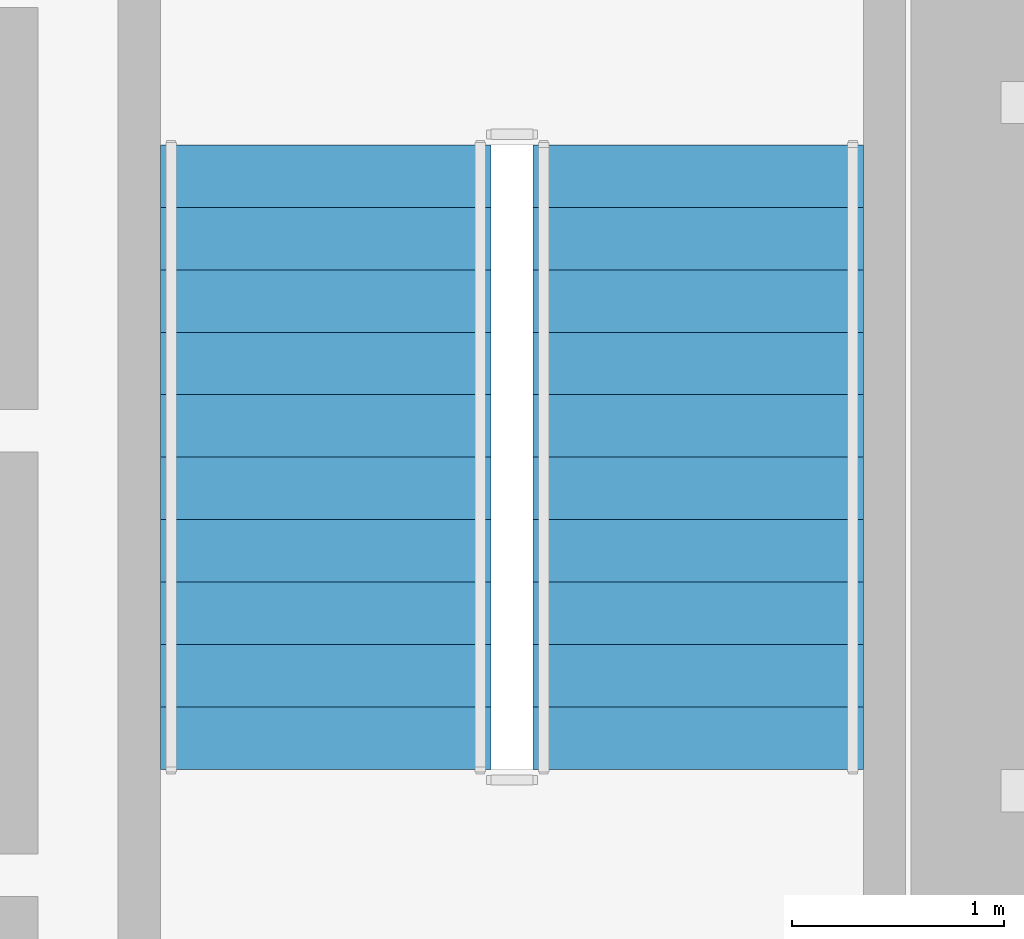
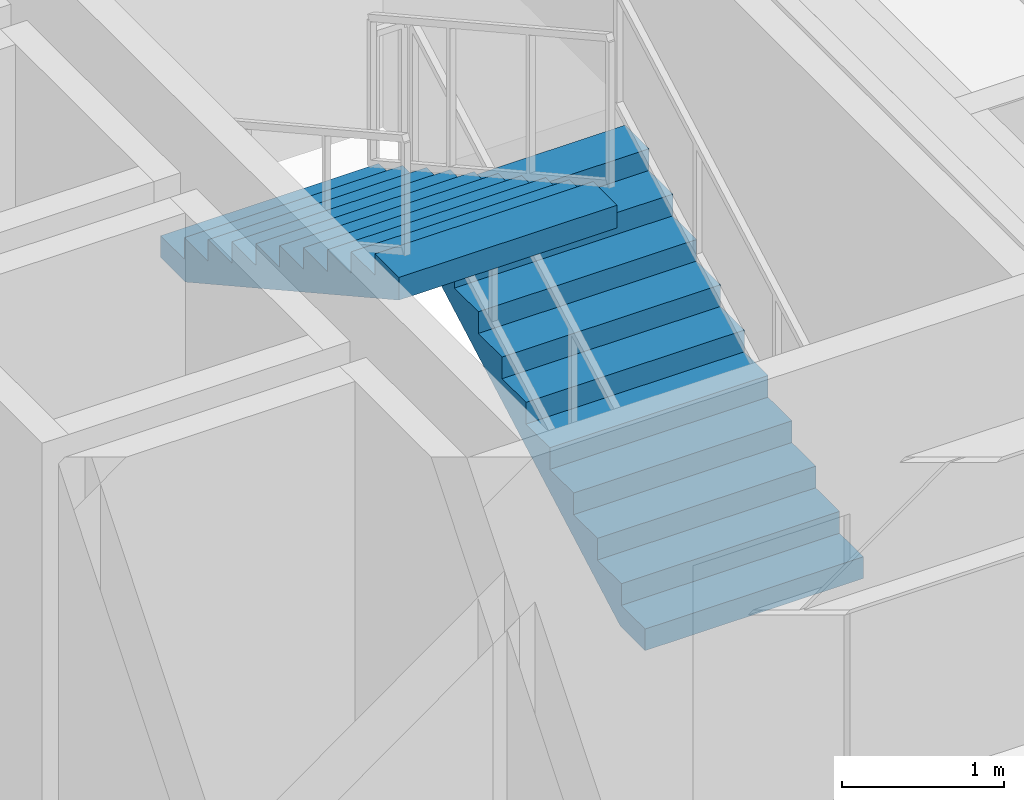
# One storey, part 30 of 33: 2 stair flights, 1 element without a shape of its own.
"""IFC4 building model written with IfcOpenShell, lengths in metres."""

import ifcopenshell
import ifcopenshell.guid

model = None  # the IFC model being written
_history = None  # IfcOwnerHistory: only IFC2X3 demands one
_inside = {}  # id of a spatial element -> (the spatial element, [elements in it])
_under = {}  # id of a project, library or spatial element -> (it, [spatial elements below it])
_declared = {}  # id of a project -> (the project, [libraries it declares])
_typed = {}  # id of a type object -> (the type object, [elements of that type])
_made_of = {}  # id of a material, layer set ... -> (it, [elements and type objects made of it])


def new_model(schema):
    """Start an empty IFC model of exactly this schema.

    Asked for "IFC4X3", IfcOpenShell would pick the latest addendum, in which some entities
    have other attributes; the version numbers below select the first issue.
    IFC2X3 requires an IfcOwnerHistory on every rooted entity: one is made here for all.
    """
    global model, _history
    if schema == "IFC4X3":
        model = ifcopenshell.file(schema_version=(4, 3, 0, 0))
    else:
        model = ifcopenshell.file(schema=schema)
    _inside.clear()
    _under.clear()
    _declared.clear()
    _typed.clear()
    _made_of.clear()
    _history = None
    if model.schema == "IFC2X3":
        org = make("IfcOrganization", Name="unknown")
        user = make(
            "IfcPersonAndOrganization",
            ThePerson=make("IfcPerson", FamilyName="unknown"),
            TheOrganization=org,
        )
        app = make(
            "IfcApplication",
            ApplicationDeveloper=org,
            Version="unknown",
            ApplicationFullName="unknown",
            ApplicationIdentifier="unknown",
        )
        _history = make(
            "IfcOwnerHistory",
            OwningUser=user,
            OwningApplication=app,
            ChangeAction="ADDED",
            CreationDate=0,
        )
    return model


def make(cls, **values):
    """One entity of the class cls with the attributes given. An attribute that is None is left unset."""
    return model.create_entity(
        cls, **{name: value for name, value in values.items() if value is not None}
    )


def rooted(cls, **values):
    """An entity with a GlobalId (a new one), such as an element, a storey or a relation."""
    return make(cls, GlobalId=ifcopenshell.guid.new(), OwnerHistory=_history, **values)


def si_unit(unit_type, name, prefix=None):
    """IfcSIUnit, for example si_unit("LENGTHUNIT", "METRE", prefix="MILLI")."""
    return make("IfcSIUnit", UnitType=unit_type, Prefix=prefix, Name=name)


def assignment(units):
    """IfcUnitAssignment: the units of a project."""
    return None if units is None else make("IfcUnitAssignment", Units=units)


def point(xyz):
    """IfcCartesianPoint."""
    return None if xyz is None else make("IfcCartesianPoint", Coordinates=xyz)


def direction(xyz):
    """IfcDirection."""
    return None if xyz is None else make("IfcDirection", DirectionRatios=xyz)


def frame(location, z_axis=None, x_axis=None):
    """IfcAxis2Placement3D, a coordinate frame: its origin and axes. An axis left out is left unset."""
    return make(
        "IfcAxis2Placement3D",
        Location=point(location),
        Axis=direction(z_axis),
        RefDirection=direction(x_axis),
    )


def origin():
    """The frame at (0, 0, 0) with its axes left unset."""
    return frame((0.0, 0.0, 0.0))


def place(relative_to, where):
    """IfcLocalPlacement: puts the frame where relative to a parent placement (None: the world)."""
    return make(
        "IfcLocalPlacement", PlacementRelTo=relative_to, RelativePlacement=where
    )


def context(
    kind, dimensions, precision=None, world=None, true_north=None, identifier=None
):
    """IfcGeometricRepresentationContext, for example the 3D "Model" context."""
    return make(
        "IfcGeometricRepresentationContext",
        ContextIdentifier=identifier,
        ContextType=kind,
        CoordinateSpaceDimension=dimensions,
        Precision=precision,
        WorldCoordinateSystem=world,
        TrueNorth=true_north,
    )


def subcontext(parent, identifier, kind, view, scale=None):
    """IfcGeometricRepresentationSubContext, for example "Body" below "Model"."""
    return make(
        "IfcGeometricRepresentationSubContext",
        ContextIdentifier=identifier,
        ContextType=kind,
        ParentContext=parent,
        TargetScale=scale,
        TargetView=view,
    )


def project(units=None, contexts=None):
    """IfcProject with its units and contexts."""
    return rooted(
        "IfcProject",
        Name="project",
        RepresentationContexts=contexts,
        UnitsInContext=assignment(units),
    )


def spatial(cls, under=None, at=None, **own):
    """A site, building, storey or space (cls), placed at a placement, below another one or the project."""
    s = rooted(cls, ObjectPlacement=at, **own)
    if under is not None:
        _under.setdefault(under.id(), (under, []))[1].append(s)
    return s


def polyline(points):
    """IfcPolyline through the points."""
    return make("IfcPolyline", Points=[point(p) for p in points])


def outline(outer, holes=None, kind="AREA"):
    """IfcArbitraryClosedProfileDef: a profile drawn as a closed curve; with holes, ...WithVoids."""
    if holes is None:
        return make("IfcArbitraryClosedProfileDef", ProfileType=kind, OuterCurve=outer)
    return make(
        "IfcArbitraryProfileDefWithVoids",
        ProfileType=kind,
        OuterCurve=outer,
        InnerCurves=holes,
    )


def extrude(swept, where, along, depth):
    """IfcExtrudedAreaSolid: the profile swept, set in the frame where, extruded along a direction by depth."""
    return make(
        "IfcExtrudedAreaSolid",
        SweptArea=swept,
        Position=where,
        ExtrudedDirection=direction(along),
        Depth=depth,
    )


def shape(context_of_items, identifier, shape_type, items):
    """IfcShapeRepresentation: the items that make up one representation, for example the "Body"."""
    return make(
        "IfcShapeRepresentation",
        ContextOfItems=context_of_items,
        RepresentationIdentifier=identifier,
        RepresentationType=shape_type,
        Items=items,
    )


def material(Name=None, Category=None):
    """IfcMaterial."""
    return make("IfcMaterial", Name=Name, Category=Category)


def made_of(thing, what):
    """Note that an element or type object is made of a material, layer set ...; save() writes the relation."""
    if what is not None:
        _made_of.setdefault(what.id(), (what, []))[1].append(thing)
    return thing


def type_object(cls, material=None, **own):
    """A type object (cls), such as IfcWallType, which elements share."""
    return made_of(rooted(cls, **own), material)


def element(
    cls,
    number,
    at=None,
    inside=None,
    cuts=None,
    type_object=None,
    material=None,
    context=None,
    identifier="Body",
    shape_type=None,
    held_by="IfcProductDefinitionShape",
    body=None,
    shapes=None,
    **own,
):
    """One element of the class cls, such as IfcWall. Its Tag is "e" and its number.

    at: its placement. inside: the storey or other place that contains it. cuts: it is an
    opening in that element (IfcRelVoidsElement). A single representation is given by context,
    identifier, shape_type and body (its items); several are given by shapes. held_by: the class
    of the entity that holds the representations. save() writes the other relations.
    """
    e = rooted(cls, Tag="e%d" % number, ObjectPlacement=at, **own)
    if body is not None:
        shapes = [shape(context, identifier, shape_type, body)]
    if shapes is not None:
        e.Representation = make(held_by, Representations=shapes)
    if inside is not None:
        _inside.setdefault(inside.id(), (inside, []))[1].append(e)
    if cuts is not None:
        rooted(
            "IfcRelVoidsElement", RelatingBuildingElement=cuts, RelatedOpeningElement=e
        )
    if type_object is not None:
        _typed.setdefault(type_object.id(), (type_object, []))[1].append(e)
    return made_of(e, material)


def aggregate(whole, parts):
    """IfcRelAggregates: a whole, such as a stair, and the parts it consists of."""
    return rooted("IfcRelAggregates", RelatingObject=whole, RelatedObjects=parts)


def save(model, path):
    """Write the relations noted so far, then the file.

    IfcRelAggregates (storeys below a building ...), IfcRelContainedInSpatialStructure (elements
    in a storey), IfcRelDefinesByType, IfcRelAssociatesMaterial and IfcRelDeclares: one each for
    every whole, place, type object, material and project.
    """
    for whole, parts in _under.values():
        aggregate(whole, parts)
    for where, things in _inside.values():
        rooted(
            "IfcRelContainedInSpatialStructure",
            RelatedElements=things,
            RelatingStructure=where,
        )
    for kind, things in _typed.values():
        rooted("IfcRelDefinesByType", RelatedObjects=things, RelatingType=kind)
    for what, things in _made_of.values():
        rooted("IfcRelAssociatesMaterial", RelatedObjects=things, RelatingMaterial=what)
    for by, libraries in _declared.values():
        rooted("IfcRelDeclares", RelatingContext=by, RelatedDefinitions=libraries)
    model.write(path)


model = new_model("IFC4")

# Units and contexts
model_context = context("Model", 3, precision=1e-05, world=origin(), true_north=direction((0.0, 1.0)))
body_context = subcontext(model_context, "Body", "Model", "MODEL_VIEW")
ifc_project = project(units=[si_unit("LENGTHUNIT", "METRE"), si_unit("AREAUNIT", "SQUARE_METRE"), si_unit("VOLUMEUNIT", "CUBIC_METRE"), si_unit("PLANEANGLEUNIT", "RADIAN"), si_unit("MASSUNIT", "GRAM", prefix="KILO")], contexts=[model_context])

# Site, building, storey
site_placement = place(None, origin())
site = spatial("IfcSite", under=ifc_project, at=site_placement, CompositionType="ELEMENT")
building_placement = place(site_placement, origin())
building = spatial("IfcBuilding", under=site, at=building_placement, Name="Brelmoor Portico Tower", CompositionType="ELEMENT")
storey_placement = place(building_placement, frame((0.0, 0.0, 34.800048828125)))
storey = spatial("IfcBuildingStorey", under=building, at=storey_placement, Name="L08", CompositionType="ELEMENT", Elevation=34.800048828125)

# Stair, stair flights
ifc_material = material(Name="Concrete C40", Category="concrete")
stair_type = type_object("IfcStairType", Name="ST-CORE-E", PredefinedType="HALF_TURN_STAIR", material=ifc_material)
stair_placement = place(storey_placement, origin())
stair = element("IfcStair", 1, at=stair_placement, inside=storey, type_object=stair_type, Name="L08 Protected Core Exit Stair ST-E", PredefinedType="HALF_TURN_STAIR")
stair_flight_type = type_object("IfcStairFlightType", Name="SF-CORE-1850", PredefinedType="STRAIGHT", material=ifc_material)
stair_flight_1_placement = place(storey_placement, frame((13.27001953125, 3.35009765625, 0.0), z_axis=(0.0, 0.0, 1.0), x_axis=(0.0, 1.0, 0.0)))
stair_flight_1 = element("IfcStairFlight", 2, at=stair_flight_1_placement, type_object=stair_flight_type, Name="ST-E flight 1", NumberOfRisers=11, NumberOfTreads=10, PredefinedType="STRAIGHT", RiserHeight=0.163636364, TreadLength=0.295, context=body_context, shape_type="SweptSolid", body=[
    extrude(outline(polyline([(0.0, 0.0), (0.0, 0.16357421875), (0.294921875, 0.16357421875), (0.294921875, 0.327392578125), (0.590087890625, 0.327392578125), (0.590087890625, 0.490966796875), (0.885009765625, 0.490966796875), (0.885009765625, 0.654541015625), (1.179931640625, 0.654541015625), (1.179931640625, 0.818115234375), (1.47509765625, 0.818115234375), (1.47509765625, 0.98193359375), (1.77001953125, 0.98193359375), (1.77001953125, 1.1455078125), (2.06494140625, 1.1455078125), (2.06494140625, 1.30908203125), (2.360107421875, 1.30908203125), (2.360107421875, 1.47265625), (2.655029296875, 1.47265625), (2.655029296875, 1.636474609375), (2.949951171875, 1.636474609375), (2.949951171875, 1.800048828125), (2.949951171875, 1.46484375), (0.30908203125, 0.0), (0.0, 0.0)])), frame((0.0, 0.780029296875, 0.0), z_axis=(0.0, -1.0, 0.0), x_axis=(1.0, 0.0, 0.0)), (0.0, 0.0, 1.0), 1.56005859375),
])
stair_flight_2_placement = place(storey_placement, frame((11.510009765625, 6.300048828125, 1.800048828125), z_axis=(0.0, 0.0, 1.0), x_axis=(0.0, -1.0, 0.0)))
stair_flight_2 = element("IfcStairFlight", 3, at=stair_flight_2_placement, type_object=stair_flight_type, Name="ST-E flight 2", NumberOfRisers=11, NumberOfTreads=10, PredefinedType="STRAIGHT", RiserHeight=0.163636364, TreadLength=0.295, context=body_context, shape_type="SweptSolid", body=[
    extrude(outline(polyline([(0.0, 0.0), (0.0, 0.16357421875), (0.294921875, 0.16357421875), (0.294921875, 0.327392578125), (0.590087890625, 0.327392578125), (0.590087890625, 0.490966796875), (0.885009765625, 0.490966796875), (0.885009765625, 0.654541015625), (1.179931640625, 0.654541015625), (1.179931640625, 0.818115234375), (1.47509765625, 0.818115234375), (1.47509765625, 0.98193359375), (1.77001953125, 0.98193359375), (1.77001953125, 1.1455078125), (2.06494140625, 1.1455078125), (2.06494140625, 1.30908203125), (2.360107421875, 1.30908203125), (2.360107421875, 1.47265625), (2.655029296875, 1.47265625), (2.655029296875, 1.636474609375), (2.949951171875, 1.636474609375), (2.949951171875, 1.800048828125), (2.949951171875, 1.46484375), (0.30908203125, 0.0), (0.0, 0.0)])), frame((0.0, 0.780029296875, 0.0), z_axis=(0.0, -1.0, 0.0), x_axis=(1.0, 0.0, 0.0)), (0.0, 0.0, 1.0), 1.56005859375),
])
aggregate(stair, [stair_flight_1, stair_flight_2])

save(model, "model.ifc")
